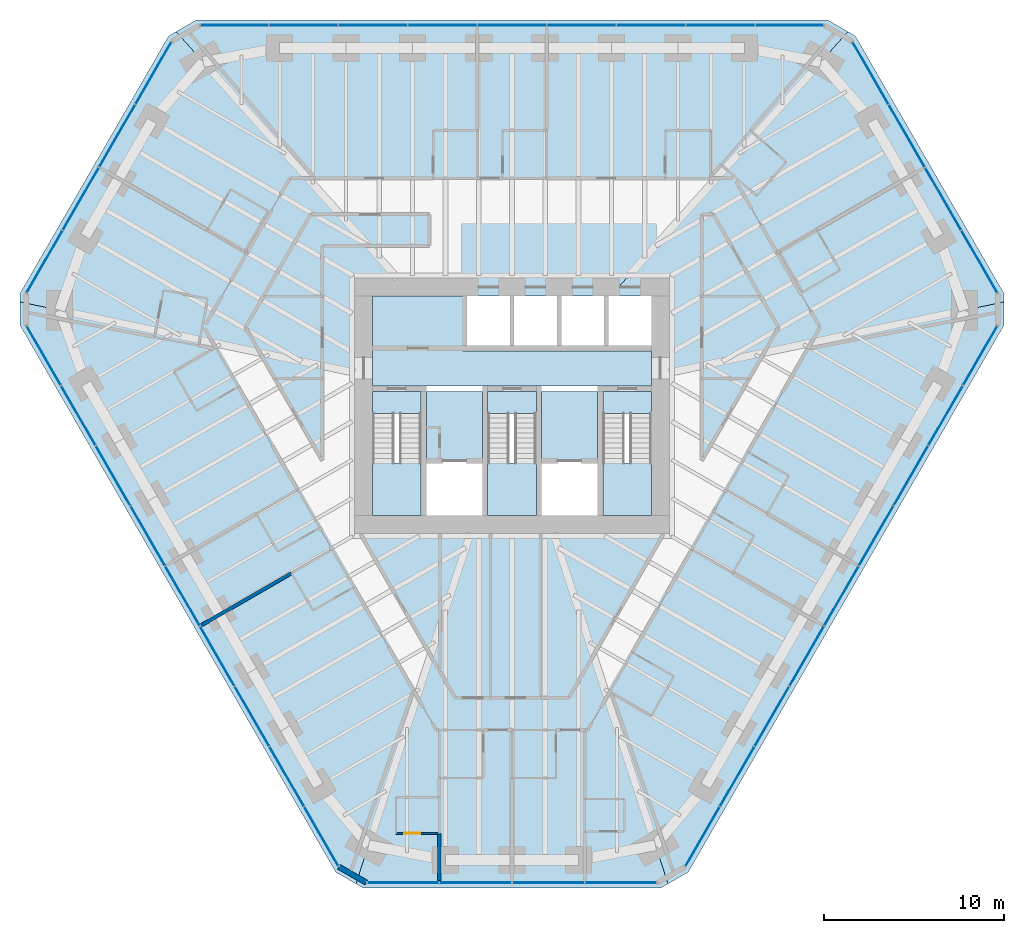
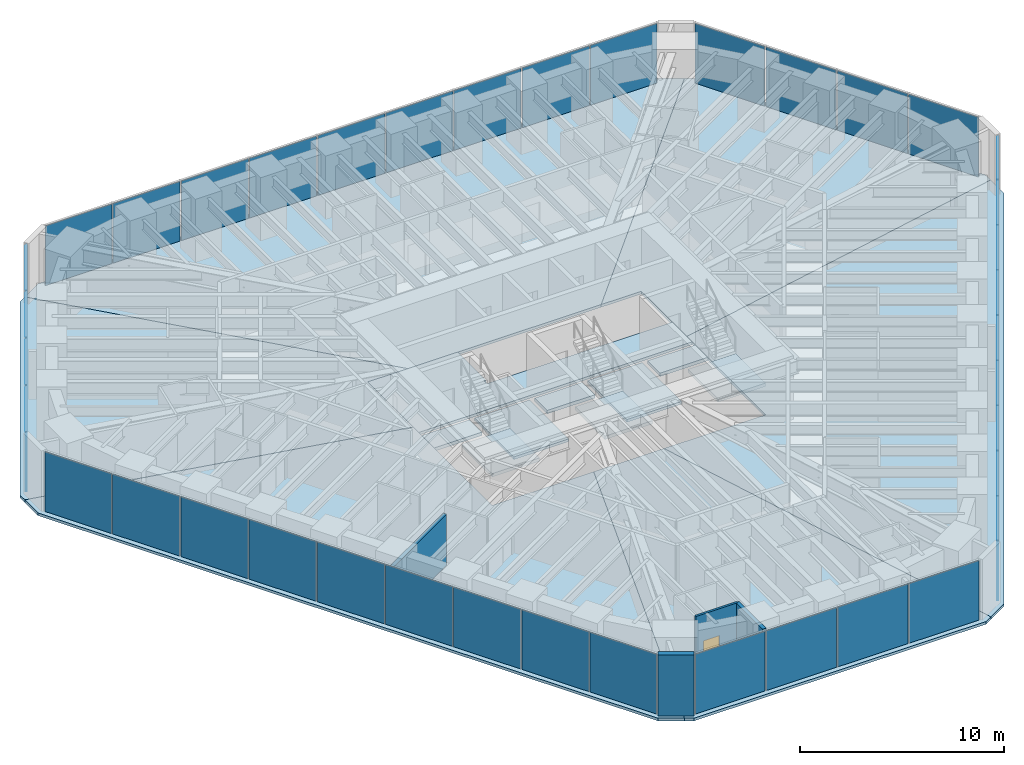
# One storey, part 10 of 16: 39 plates, 15 slabs, 4 walls, 1 door, 1 opening, 9 elements without a shape of their own.
"""IFC4 building model written with IfcOpenShell, lengths in metres."""

from ifc_helpers import new_model, si_unit, direction, frame, frame_2d, origin, origin_2d, place, context, subcontext, project, spatial, polyline, rectangle, outline, extrude, material, layer, layer_set, type_object, element, fill, aggregate, save


model = new_model("IFC4")

# Units and contexts
model_context = context("Model", 3, precision=1e-05, world=origin(), true_north=direction((0.0, 1.0)))
body_context = subcontext(model_context, "Body", "Model", "MODEL_VIEW")
ifc_project = project(units=[si_unit("LENGTHUNIT", "METRE"), si_unit("AREAUNIT", "SQUARE_METRE"), si_unit("VOLUMEUNIT", "CUBIC_METRE"), si_unit("PLANEANGLEUNIT", "RADIAN"), si_unit("MASSUNIT", "GRAM", prefix="KILO")], contexts=[model_context])

# Site, building, storey
site_placement = place(None, origin())
site = spatial("IfcSite", under=ifc_project, at=site_placement, CompositionType="ELEMENT")
building_placement = place(site_placement, origin())
building = spatial("IfcBuilding", under=site, at=building_placement, Name="Sandreach Pilgrim Tower", CompositionType="ELEMENT")
storey_placement = place(building_placement, frame((0.0, 0.0, 190.800048828125)))
storey = spatial("IfcBuildingStorey", under=building, at=storey_placement, Name="L47", CompositionType="ELEMENT", Elevation=190.800048828125)

# Curtain wall, plates
ifc_material_1 = material(Name="Aluminium framed curtain wall", Category="aluminium")
curtain_wall_type = type_object("IfcCurtainWallType", Name="Upper hotel tower curtain wall", PredefinedType="NOTDEFINED", material=ifc_material_1)
curtain_wall_1_placement = place(storey_placement, origin())
curtain_wall_1 = element("IfcCurtainWall", 1, at=curtain_wall_1_placement, inside=storey, type_object=curtain_wall_type, Name="CW-3 L47 N", PredefinedType="NOTDEFINED")
ifc_material_2 = material(Name="Insulating glass unit 12.76 laminated + 20 argon + 12.76 laminated", Category="glass")
ifc_layer_1 = layer(ifc_material_2, 0.0458984375)
ifc_layer_set_1 = layer_set([ifc_layer_1], Name="CW-3 panel")
plate_type = type_object("IfcPlateType", Name="CW-3 panel", PredefinedType="CURTAIN_PANEL", material=ifc_layer_set_1)
plate_1_placement = place(storey_placement, frame((-15.44140625, 21.16015625, 0.0), z_axis=(0.0, 0.0, 1.0), x_axis=(1.0, 0.0, 0.0)))
plate_1 = element("IfcPlate", 2, at=plate_1_placement, type_object=plate_type, Name="CW-3 panel 1", PredefinedType="CURTAIN_PANEL", context=body_context, shape_type="SweptSolid", body=[
    extrude(rectangle(XDim=3.766845703125, YDim=0.0458984375, at=origin_2d()), origin(), (0.0, 0.0, 1.0), 3.570068359375),
])
plate_2_placement = place(storey_placement, frame((-11.59326171875, 21.16015625, 0.0), z_axis=(0.0, 0.0, 1.0), x_axis=(1.0, 0.0, 0.0)))
plate_2 = element("IfcPlate", 3, at=plate_2_placement, type_object=plate_type, Name="CW-3 panel 2", PredefinedType="CURTAIN_PANEL", context=body_context, shape_type="SweptSolid", body=[
    extrude(rectangle(XDim=3.79931640625, YDim=0.0458984375, at=origin_2d()), origin(), (0.0, 0.0, 1.0), 3.570068359375),
])
plate_3_placement = place(storey_placement, frame((-7.728759765625, 21.16015625, 0.0), z_axis=(0.0, 0.0, 1.0), x_axis=(1.0, 0.0, 0.0)))
plate_3 = element("IfcPlate", 4, at=plate_3_placement, type_object=plate_type, Name="CW-3 panel 3", PredefinedType="CURTAIN_PANEL", context=body_context, shape_type="SweptSolid", body=[
    extrude(rectangle(XDim=3.79931640625, YDim=0.0458984375, at=origin_2d()), origin(), (0.0, 0.0, 1.0), 3.570068359375),
])
plate_4_placement = place(storey_placement, frame((-3.864501953125, 21.16015625, 0.0), z_axis=(0.0, 0.0, 1.0), x_axis=(1.0, 0.0, 0.0)))
plate_4 = element("IfcPlate", 5, at=plate_4_placement, type_object=plate_type, Name="CW-3 panel 4", PredefinedType="CURTAIN_PANEL", context=body_context, shape_type="SweptSolid", body=[
    extrude(rectangle(XDim=3.79931640625, YDim=0.0458984375, at=origin_2d()), origin(), (0.0, 0.0, 1.0), 3.570068359375),
])
plate_5_placement = place(storey_placement, frame((0.0, 21.16015625, 0.0), z_axis=(0.0, 0.0, 1.0), x_axis=(1.0, 0.0, 0.0)))
plate_5 = element("IfcPlate", 6, at=plate_5_placement, type_object=plate_type, Name="CW-3 panel 5", PredefinedType="CURTAIN_PANEL", context=body_context, shape_type="SweptSolid", body=[
    extrude(rectangle(XDim=3.79931640625, YDim=0.0458984375, at=origin_2d()), origin(), (0.0, 0.0, 1.0), 3.570068359375),
])
plate_6_placement = place(storey_placement, frame((3.864501953125, 21.16015625, 0.0), z_axis=(0.0, 0.0, 1.0), x_axis=(1.0, 0.0, 0.0)))
plate_6 = element("IfcPlate", 7, at=plate_6_placement, type_object=plate_type, Name="CW-3 panel 6", PredefinedType="CURTAIN_PANEL", context=body_context, shape_type="SweptSolid", body=[
    extrude(rectangle(XDim=3.79931640625, YDim=0.0458984375, at=origin_2d()), origin(), (0.0, 0.0, 1.0), 3.570068359375),
])
plate_7_placement = place(storey_placement, frame((7.728759765625, 21.16015625, 0.0), z_axis=(0.0, 0.0, 1.0), x_axis=(1.0, 0.0, 0.0)))
plate_7 = element("IfcPlate", 8, at=plate_7_placement, type_object=plate_type, Name="CW-3 panel 7", PredefinedType="CURTAIN_PANEL", context=body_context, shape_type="SweptSolid", body=[
    extrude(rectangle(XDim=3.79931640625, YDim=0.0458984375, at=origin_2d()), origin(), (0.0, 0.0, 1.0), 3.570068359375),
])
plate_8_placement = place(storey_placement, frame((11.59326171875, 21.16015625, 0.0), z_axis=(0.0, 0.0, 1.0), x_axis=(1.0, 0.0, 0.0)))
plate_8 = element("IfcPlate", 9, at=plate_8_placement, type_object=plate_type, Name="CW-3 panel 8", PredefinedType="CURTAIN_PANEL", context=body_context, shape_type="SweptSolid", body=[
    extrude(rectangle(XDim=3.79931640625, YDim=0.0458984375, at=origin_2d()), origin(), (0.0, 0.0, 1.0), 3.570068359375),
])
plate_9_placement = place(storey_placement, frame((15.44140625, 21.16015625, 0.0), z_axis=(0.0, 0.0, 1.0), x_axis=(1.0, 0.0, 0.0)))
plate_9 = element("IfcPlate", 10, at=plate_9_placement, type_object=plate_type, Name="CW-3 panel 9", PredefinedType="CURTAIN_PANEL", context=body_context, shape_type="SweptSolid", body=[
    extrude(rectangle(XDim=3.766845703125, YDim=0.0458984375, at=origin_2d()), origin(), (0.0, 0.0, 1.0), 3.570068359375),
])
aggregate(curtain_wall_1, [plate_1, plate_2, plate_3, plate_4, plate_5, plate_6, plate_7, plate_8, plate_9])

curtain_wall_2_placement = place(storey_placement, origin())
curtain_wall_2 = element("IfcCurtainWall", 11, at=curtain_wall_2_placement, inside=storey, type_object=curtain_wall_type, Name="CW-3 L47 NE", PredefinedType="NOTDEFINED")
plate_10_placement = place(storey_placement, frame((19.943115234375, 18.5078125, 0.0), z_axis=(0.0, 0.0, 1.0), x_axis=(0.5, -0.866025403784, 0.0)))
plate_10 = element("IfcPlate", 12, at=plate_10_placement, type_object=plate_type, Name="CW-3 panel 1", PredefinedType="CURTAIN_PANEL", context=body_context, shape_type="SweptSolid", body=[
    extrude(rectangle(XDim=3.951171875, YDim=0.0458984375, at=origin_2d()), origin(), (0.0, 0.0, 1.0), 3.570068359375),
])
plate_11_placement = place(storey_placement, frame((21.959228515625, 15.015625, 0.0), z_axis=(0.0, 0.0, 1.0), x_axis=(0.5, -0.866025403784, 0.0)))
plate_11 = element("IfcPlate", 13, at=plate_11_placement, type_object=plate_type, Name="CW-3 panel 2", PredefinedType="CURTAIN_PANEL", context=body_context, shape_type="SweptSolid", body=[
    extrude(rectangle(XDim=3.983642578125, YDim=0.0458984375, at=origin_2d()), origin(), (0.0, 0.0, 1.0), 3.570068359375),
])
plate_12_placement = place(storey_placement, frame((23.983642578125, 11.509521484375, 0.0), z_axis=(0.0, 0.0, 1.0), x_axis=(0.5, -0.866025403784, 0.0)))
plate_12 = element("IfcPlate", 14, at=plate_12_placement, type_object=plate_type, Name="CW-3 panel 3", PredefinedType="CURTAIN_PANEL", context=body_context, shape_type="SweptSolid", body=[
    extrude(rectangle(XDim=3.983642578125, YDim=0.0458984375, at=origin_2d()), origin(), (0.0, 0.0, 1.0), 3.570068359375),
])
plate_13_placement = place(storey_placement, frame((25.999755859375, 8.017333984375, 0.0), z_axis=(0.0, 0.0, 1.0), x_axis=(0.5, -0.866025403784, 0.0)))
plate_13 = element("IfcPlate", 15, at=plate_13_placement, type_object=plate_type, Name="CW-3 panel 4", PredefinedType="CURTAIN_PANEL", context=body_context, shape_type="SweptSolid", body=[
    extrude(rectangle(XDim=3.951171875, YDim=0.0458984375, at=origin_2d()), origin(), (0.0, 0.0, 1.0), 3.570068359375),
])
aggregate(curtain_wall_2, [plate_10, plate_11, plate_12, plate_13])

curtain_wall_3_placement = place(storey_placement, origin())
curtain_wall_3 = element("IfcCurtainWall", 16, at=curtain_wall_3_placement, inside=storey, type_object=curtain_wall_type, Name="CW-3 L47 SE", PredefinedType="NOTDEFINED")
plate_14_placement = place(storey_placement, frame((26.0458984375, 2.792724609375, 0.0), z_axis=(0.0, 0.0, 1.0), x_axis=(-0.5, -0.866025403784, 0.0)))
plate_14 = element("IfcPlate", 17, at=plate_14_placement, type_object=plate_type, Name="CW-3 panel 1", PredefinedType="CURTAIN_PANEL", context=body_context, shape_type="SweptSolid", body=[
    extrude(rectangle(XDim=3.766845703125, YDim=0.0458984375, at=origin_2d()), origin(), (0.0, 0.0, 1.0), 3.570068359375),
])
plate_15_placement = place(storey_placement, frame((24.121826171875, -0.5400390625, 0.0), z_axis=(0.0, 0.0, 1.0), x_axis=(-0.5, -0.866025403784, 0.0)))
plate_15 = element("IfcPlate", 18, at=plate_15_placement, type_object=plate_type, Name="CW-3 panel 2", PredefinedType="CURTAIN_PANEL", context=body_context, shape_type="SweptSolid", body=[
    extrude(rectangle(XDim=3.79931640625, YDim=0.0458984375, at=origin_2d()), origin(), (0.0, 0.0, 1.0), 3.570068359375),
])
plate_16_placement = place(storey_placement, frame((22.189697265625, -3.88671875, 0.0), z_axis=(0.0, 0.0, 1.0), x_axis=(-0.5, -0.866025403784, 0.0)))
plate_16 = element("IfcPlate", 19, at=plate_16_placement, type_object=plate_type, Name="CW-3 panel 3", PredefinedType="CURTAIN_PANEL", context=body_context, shape_type="SweptSolid", body=[
    extrude(rectangle(XDim=3.79931640625, YDim=0.0458984375, at=origin_2d()), origin(), (0.0, 0.0, 1.0), 3.570068359375),
])
plate_17_placement = place(storey_placement, frame((20.25732421875, -7.2333984375, 0.0), z_axis=(0.0, 0.0, 1.0), x_axis=(-0.5, -0.866025403784, 0.0)))
plate_17 = element("IfcPlate", 20, at=plate_17_placement, type_object=plate_type, Name="CW-3 panel 4", PredefinedType="CURTAIN_PANEL", context=body_context, shape_type="SweptSolid", body=[
    extrude(rectangle(XDim=3.79931640625, YDim=0.0458984375, at=origin_2d()), origin(), (0.0, 0.0, 1.0), 3.570068359375),
])
plate_18_placement = place(storey_placement, frame((18.3251953125, -10.580078125, 0.0), z_axis=(0.0, 0.0, 1.0), x_axis=(-0.5, -0.866025403784, 0.0)))
plate_18 = element("IfcPlate", 21, at=plate_18_placement, type_object=plate_type, Name="CW-3 panel 5", PredefinedType="CURTAIN_PANEL", context=body_context, shape_type="SweptSolid", body=[
    extrude(rectangle(XDim=3.79931640625, YDim=0.0458984375, at=origin_2d()), origin(), (0.0, 0.0, 1.0), 3.570068359375),
])
plate_19_placement = place(storey_placement, frame((16.39306640625, -13.9267578125, 0.0), z_axis=(0.0, 0.0, 1.0), x_axis=(-0.5, -0.866025403784, 0.0)))
plate_19 = element("IfcPlate", 22, at=plate_19_placement, type_object=plate_type, Name="CW-3 panel 6", PredefinedType="CURTAIN_PANEL", context=body_context, shape_type="SweptSolid", body=[
    extrude(rectangle(XDim=3.79931640625, YDim=0.0458984375, at=origin_2d()), origin(), (0.0, 0.0, 1.0), 3.570068359375),
])
plate_20_placement = place(storey_placement, frame((14.460693359375, -17.2734375, 0.0), z_axis=(0.0, 0.0, 1.0), x_axis=(-0.5, -0.866025403784, 0.0)))
plate_20 = element("IfcPlate", 23, at=plate_20_placement, type_object=plate_type, Name="CW-3 panel 7", PredefinedType="CURTAIN_PANEL", context=body_context, shape_type="SweptSolid", body=[
    extrude(rectangle(XDim=3.79931640625, YDim=0.0458984375, at=origin_2d()), origin(), (0.0, 0.0, 1.0), 3.570068359375),
])
plate_21_placement = place(storey_placement, frame((12.528564453125, -20.6201171875, 0.0), z_axis=(0.0, 0.0, 1.0), x_axis=(-0.5, -0.866025403784, 0.0)))
plate_21 = element("IfcPlate", 24, at=plate_21_placement, type_object=plate_type, Name="CW-3 panel 8", PredefinedType="CURTAIN_PANEL", context=body_context, shape_type="SweptSolid", body=[
    extrude(rectangle(XDim=3.79931640625, YDim=0.0458984375, at=origin_2d()), origin(), (0.0, 0.0, 1.0), 3.570068359375),
])
plate_22_placement = place(storey_placement, frame((10.6044921875, -23.95263671875, 0.0), z_axis=(0.0, 0.0, 1.0), x_axis=(-0.5, -0.866025403784, 0.0)))
plate_22 = element("IfcPlate", 25, at=plate_22_placement, type_object=plate_type, Name="CW-3 panel 9", PredefinedType="CURTAIN_PANEL", context=body_context, shape_type="SweptSolid", body=[
    extrude(rectangle(XDim=3.766845703125, YDim=0.0458984375, at=origin_2d()), origin(), (0.0, 0.0, 1.0), 3.570068359375),
])
aggregate(curtain_wall_3, [plate_14, plate_15, plate_16, plate_17, plate_18, plate_19, plate_20, plate_21, plate_22])

curtain_wall_4_placement = place(storey_placement, origin())
curtain_wall_4 = element("IfcCurtainWall", 26, at=curtain_wall_4_placement, inside=storey, type_object=curtain_wall_type, Name="CW-3 L47 S", PredefinedType="NOTDEFINED")
plate_23_placement = place(storey_placement, frame((6.056884765625, -26.525146484375, 0.0), z_axis=(0.0, 0.0, 1.0), x_axis=(-1.0, 0.0, 0.0)))
plate_23 = element("IfcPlate", 27, at=plate_23_placement, type_object=plate_type, Name="CW-3 panel 1", PredefinedType="CURTAIN_PANEL", context=body_context, shape_type="SweptSolid", body=[
    extrude(rectangle(XDim=3.951171875, YDim=0.0458984375, at=origin_2d()), origin(), (0.0, 0.0, 1.0), 3.570068359375),
])
plate_24_placement = place(storey_placement, frame((2.0244140625, -26.525146484375, 0.0), z_axis=(0.0, 0.0, 1.0), x_axis=(-1.0, 0.0, 0.0)))
plate_24 = element("IfcPlate", 28, at=plate_24_placement, type_object=plate_type, Name="CW-3 panel 2", PredefinedType="CURTAIN_PANEL", context=body_context, shape_type="SweptSolid", body=[
    extrude(rectangle(XDim=3.983642578125, YDim=0.0458984375, at=origin_2d()), origin(), (0.0, 0.0, 1.0), 3.570068359375),
])
plate_25_placement = place(storey_placement, frame((-2.0244140625, -26.525146484375, 0.0), z_axis=(0.0, 0.0, 1.0), x_axis=(-1.0, 0.0, 0.0)))
plate_25 = element("IfcPlate", 29, at=plate_25_placement, type_object=plate_type, Name="CW-3 panel 3", PredefinedType="CURTAIN_PANEL", context=body_context, shape_type="SweptSolid", body=[
    extrude(rectangle(XDim=3.983642578125, YDim=0.0458984375, at=origin_2d()), origin(), (0.0, 0.0, 1.0), 3.570068359375),
])
plate_26_placement = place(storey_placement, frame((-6.056884765625, -26.525146484375, 0.0), z_axis=(0.0, 0.0, 1.0), x_axis=(-1.0, 0.0, 0.0)))
plate_26 = element("IfcPlate", 30, at=plate_26_placement, type_object=plate_type, Name="CW-3 panel 4", PredefinedType="CURTAIN_PANEL", context=body_context, shape_type="SweptSolid", body=[
    extrude(rectangle(XDim=3.951171875, YDim=0.0458984375, at=origin_2d()), origin(), (0.0, 0.0, 1.0), 3.570068359375),
])
aggregate(curtain_wall_4, [plate_23, plate_24, plate_25, plate_26])

curtain_wall_5_placement = place(storey_placement, origin())
curtain_wall_5 = element("IfcCurtainWall", 31, at=curtain_wall_5_placement, inside=storey, type_object=curtain_wall_type, Name="CW-3 L47 SW", PredefinedType="NOTDEFINED")
plate_27_placement = place(storey_placement, frame((-10.6044921875, -23.95263671875, 0.0), z_axis=(0.0, 0.0, 1.0), x_axis=(-0.5, 0.866025403784, 0.0)))
plate_27 = element("IfcPlate", 32, at=plate_27_placement, type_object=plate_type, Name="CW-3 panel 1", PredefinedType="CURTAIN_PANEL", context=body_context, shape_type="SweptSolid", body=[
    extrude(rectangle(XDim=3.766845703125, YDim=0.0458984375, at=origin_2d()), origin(), (0.0, 0.0, 1.0), 3.570068359375),
])
plate_28_placement = place(storey_placement, frame((-12.528564453125, -20.6201171875, 0.0), z_axis=(0.0, 0.0, 1.0), x_axis=(-0.5, 0.866025403784, 0.0)))
plate_28 = element("IfcPlate", 33, at=plate_28_placement, type_object=plate_type, Name="CW-3 panel 2", PredefinedType="CURTAIN_PANEL", context=body_context, shape_type="SweptSolid", body=[
    extrude(rectangle(XDim=3.79931640625, YDim=0.0458984375, at=origin_2d()), origin(), (0.0, 0.0, 1.0), 3.570068359375),
])
plate_29_placement = place(storey_placement, frame((-14.460693359375, -17.2734375, 0.0), z_axis=(0.0, 0.0, 1.0), x_axis=(-0.5, 0.866025403784, 0.0)))
plate_29 = element("IfcPlate", 34, at=plate_29_placement, type_object=plate_type, Name="CW-3 panel 3", PredefinedType="CURTAIN_PANEL", context=body_context, shape_type="SweptSolid", body=[
    extrude(rectangle(XDim=3.79931640625, YDim=0.0458984375, at=origin_2d()), origin(), (0.0, 0.0, 1.0), 3.570068359375),
])
plate_30_placement = place(storey_placement, frame((-16.39306640625, -13.9267578125, 0.0), z_axis=(0.0, 0.0, 1.0), x_axis=(-0.5, 0.866025403784, 0.0)))
plate_30 = element("IfcPlate", 35, at=plate_30_placement, type_object=plate_type, Name="CW-3 panel 4", PredefinedType="CURTAIN_PANEL", context=body_context, shape_type="SweptSolid", body=[
    extrude(rectangle(XDim=3.79931640625, YDim=0.0458984375, at=origin_2d()), origin(), (0.0, 0.0, 1.0), 3.570068359375),
])
plate_31_placement = place(storey_placement, frame((-18.3251953125, -10.580078125, 0.0), z_axis=(0.0, 0.0, 1.0), x_axis=(-0.5, 0.866025403784, 0.0)))
plate_31 = element("IfcPlate", 36, at=plate_31_placement, type_object=plate_type, Name="CW-3 panel 5", PredefinedType="CURTAIN_PANEL", context=body_context, shape_type="SweptSolid", body=[
    extrude(rectangle(XDim=3.79931640625, YDim=0.0458984375, at=origin_2d()), origin(), (0.0, 0.0, 1.0), 3.570068359375),
])
plate_32_placement = place(storey_placement, frame((-20.25732421875, -7.2333984375, 0.0), z_axis=(0.0, 0.0, 1.0), x_axis=(-0.5, 0.866025403784, 0.0)))
plate_32 = element("IfcPlate", 37, at=plate_32_placement, type_object=plate_type, Name="CW-3 panel 6", PredefinedType="CURTAIN_PANEL", context=body_context, shape_type="SweptSolid", body=[
    extrude(rectangle(XDim=3.79931640625, YDim=0.0458984375, at=origin_2d()), origin(), (0.0, 0.0, 1.0), 3.570068359375),
])
plate_33_placement = place(storey_placement, frame((-22.189697265625, -3.88671875, 0.0), z_axis=(0.0, 0.0, 1.0), x_axis=(-0.5, 0.866025403784, 0.0)))
plate_33 = element("IfcPlate", 38, at=plate_33_placement, type_object=plate_type, Name="CW-3 panel 7", PredefinedType="CURTAIN_PANEL", context=body_context, shape_type="SweptSolid", body=[
    extrude(rectangle(XDim=3.79931640625, YDim=0.0458984375, at=origin_2d()), origin(), (0.0, 0.0, 1.0), 3.570068359375),
])
plate_34_placement = place(storey_placement, frame((-24.121826171875, -0.5400390625, 0.0), z_axis=(0.0, 0.0, 1.0), x_axis=(-0.5, 0.866025403784, 0.0)))
plate_34 = element("IfcPlate", 39, at=plate_34_placement, type_object=plate_type, Name="CW-3 panel 8", PredefinedType="CURTAIN_PANEL", context=body_context, shape_type="SweptSolid", body=[
    extrude(rectangle(XDim=3.79931640625, YDim=0.0458984375, at=origin_2d()), origin(), (0.0, 0.0, 1.0), 3.570068359375),
])
plate_35_placement = place(storey_placement, frame((-26.0458984375, 2.792724609375, 0.0), z_axis=(0.0, 0.0, 1.0), x_axis=(-0.5, 0.866025403784, 0.0)))
plate_35 = element("IfcPlate", 40, at=plate_35_placement, type_object=plate_type, Name="CW-3 panel 9", PredefinedType="CURTAIN_PANEL", context=body_context, shape_type="SweptSolid", body=[
    extrude(rectangle(XDim=3.766845703125, YDim=0.0458984375, at=origin_2d()), origin(), (0.0, 0.0, 1.0), 3.570068359375),
])
aggregate(curtain_wall_5, [plate_27, plate_28, plate_29, plate_30, plate_31, plate_32, plate_33, plate_34, plate_35])

curtain_wall_6_placement = place(storey_placement, origin())
curtain_wall_6 = element("IfcCurtainWall", 41, at=curtain_wall_6_placement, inside=storey, type_object=curtain_wall_type, Name="CW-3 L47 NW", PredefinedType="NOTDEFINED")
plate_36_placement = place(storey_placement, frame((-25.999755859375, 8.017333984375, 0.0), z_axis=(0.0, 0.0, 1.0), x_axis=(0.5, 0.866025403784, 0.0)))
plate_36 = element("IfcPlate", 42, at=plate_36_placement, type_object=plate_type, Name="CW-3 panel 1", PredefinedType="CURTAIN_PANEL", context=body_context, shape_type="SweptSolid", body=[
    extrude(rectangle(XDim=3.951171875, YDim=0.0458984375, at=origin_2d()), origin(), (0.0, 0.0, 1.0), 3.570068359375),
])
plate_37_placement = place(storey_placement, frame((-23.983642578125, 11.509521484375, 0.0), z_axis=(0.0, 0.0, 1.0), x_axis=(0.5, 0.866025403784, 0.0)))
plate_37 = element("IfcPlate", 43, at=plate_37_placement, type_object=plate_type, Name="CW-3 panel 2", PredefinedType="CURTAIN_PANEL", context=body_context, shape_type="SweptSolid", body=[
    extrude(rectangle(XDim=3.983642578125, YDim=0.0458984375, at=origin_2d()), origin(), (0.0, 0.0, 1.0), 3.570068359375),
])
plate_38_placement = place(storey_placement, frame((-21.959228515625, 15.015625, 0.0), z_axis=(0.0, 0.0, 1.0), x_axis=(0.5, 0.866025403784, 0.0)))
plate_38 = element("IfcPlate", 44, at=plate_38_placement, type_object=plate_type, Name="CW-3 panel 3", PredefinedType="CURTAIN_PANEL", context=body_context, shape_type="SweptSolid", body=[
    extrude(rectangle(XDim=3.983642578125, YDim=0.0458984375, at=origin_2d()), origin(), (0.0, 0.0, 1.0), 3.570068359375),
])
plate_39_placement = place(storey_placement, frame((-19.943115234375, 18.5078125, 0.0), z_axis=(0.0, 0.0, 1.0), x_axis=(0.5, 0.866025403784, 0.0)))
plate_39 = element("IfcPlate", 45, at=plate_39_placement, type_object=plate_type, Name="CW-3 panel 4", PredefinedType="CURTAIN_PANEL", context=body_context, shape_type="SweptSolid", body=[
    extrude(rectangle(XDim=3.951171875, YDim=0.0458984375, at=origin_2d()), origin(), (0.0, 0.0, 1.0), 3.570068359375),
])
aggregate(curtain_wall_6, [plate_36, plate_37, plate_38, plate_39])

# Slabs
ifc_material_3 = material(Name="Concrete 8000 psi", Category="concrete")
ifc_layer_2 = layer(ifc_material_3, 0.159912109375)
ifc_layer_set_2 = layer_set([ifc_layer_2], Name="Composite floor slab 160")
slab_type_1 = type_object("IfcSlabType", Name="Composite floor slab 160", PredefinedType="FLOOR", material=ifc_layer_set_2)
slab_1_placement = place(storey_placement, frame((0.0, 0.0, -0.16015625)))
element("IfcSlab", 46, at=slab_1_placement, inside=storey, type_object=slab_type_1, Name="Floor slab L47 N sector", PredefinedType="FLOOR", context=body_context, shape_type="SweptSolid", body=[
    extrude(outline(polyline([(-17.56298828125, 21.460205078125), (17.56298828125, 21.460205078125), (18.68701171875, 20.81103515625), (5.477294921875, 6.10009765625), (-5.477294921875, 6.10009765625), (-18.68701171875, 20.81103515625), (-17.56298828125, 21.460205078125)])), origin(), (0.0, 0.0, 1.0), 0.16015625),
])
slab_2_placement = place(storey_placement, frame((0.0, 0.0, -0.16015625)))
element("IfcSlab", 47, at=slab_2_placement, inside=storey, type_object=slab_type_1, Name="Floor slab L47 NE sector", PredefinedType="FLOOR", context=body_context, shape_type="SweptSolid", body=[
    extrude(outline(polyline([(19.095947265625, 20.5751953125), (27.366455078125, 6.25), (27.366455078125, 5.778076171875), (7.75, 1.63623046875), (7.75, 6.10009765625), (5.477294921875, 6.10009765625), (18.68701171875, 20.81103515625), (19.095947265625, 20.5751953125)])), origin(), (0.0, 0.0, 1.0), 0.16015625),
])
slab_3_placement = place(storey_placement, frame((0.0, 0.0, -0.16015625)))
element("IfcSlab", 48, at=slab_3_placement, inside=storey, type_object=slab_type_1, Name="Floor slab L47 SE sector", PredefinedType="FLOOR", context=body_context, shape_type="SweptSolid", body=[
    extrude(outline(polyline([(27.366455078125, 4.47998046875), (9.803466796875, -25.940185546875), (8.679443359375, -26.589111328125), (1.9912109375, -6.10009765625), (7.75, -6.10009765625), (7.75, 1.63623046875), (27.366455078125, 5.778076171875), (27.366455078125, 4.47998046875)])), origin(), (0.0, 0.0, 1.0), 0.16015625),
])
slab_4_placement = place(storey_placement, frame((0.0, 0.0, -0.16015625)))
element("IfcSlab", 49, at=slab_4_placement, inside=storey, type_object=slab_type_1, Name="Floor slab L47 S sector", PredefinedType="FLOOR", context=body_context, shape_type="SweptSolid", body=[
    extrude(outline(polyline([(8.2705078125, -26.8251953125), (-8.2705078125, -26.8251953125), (-8.679443359375, -26.589111328125), (-1.9912109375, -6.10009765625), (1.9912109375, -6.10009765625), (8.679443359375, -26.589111328125), (8.2705078125, -26.8251953125)])), origin(), (0.0, 0.0, 1.0), 0.16015625),
])
slab_5_placement = place(storey_placement, frame((0.0, 0.0, -0.16015625)))
element("IfcSlab", 50, at=slab_5_placement, inside=storey, type_object=slab_type_1, Name="Floor slab L47 SW sector", PredefinedType="FLOOR", context=body_context, shape_type="SweptSolid", body=[
    extrude(outline(polyline([(-9.803466796875, -25.940185546875), (-27.366455078125, 4.47998046875), (-27.366455078125, 5.778076171875), (-7.75, 1.63623046875), (-7.75, -6.10009765625), (-1.9912109375, -6.10009765625), (-8.679443359375, -26.589111328125), (-9.803466796875, -25.940185546875)])), origin(), (0.0, 0.0, 1.0), 0.16015625),
])
slab_6_placement = place(storey_placement, frame((0.0, 0.0, -0.16015625)))
element("IfcSlab", 51, at=slab_6_placement, inside=storey, type_object=slab_type_1, Name="Floor slab L47 NW sector", PredefinedType="FLOOR", context=body_context, shape_type="SweptSolid", body=[
    extrude(outline(polyline([(-27.366455078125, 6.25), (-19.095947265625, 20.5751953125), (-18.68701171875, 20.81103515625), (-5.477294921875, 6.10009765625), (-7.75, 6.10009765625), (-7.75, 1.63623046875), (-27.366455078125, 5.778076171875), (-27.366455078125, 6.25)])), origin(), (0.0, 0.0, 1.0), 0.16015625),
])
slab_7_placement = place(storey_placement, frame((0.0, 0.0, -0.16015625)))
element("IfcSlab", 52, at=slab_7_placement, inside=storey, type_object=slab_type_1, Name="Core floor slab and stores L47", PredefinedType="FLOOR", context=body_context, shape_type="SweptSolid", body=[
    extrude(outline(polyline([(-2.75, 3.35009765625), (-2.75, 3.050048828125), (-0.125, 3.050048828125), (0.125, 3.050048828125), (2.5, 3.050048828125), (2.75, 3.050048828125), (5.125, 3.050048828125), (5.375, 3.050048828125), (7.75, 3.050048828125), (7.75, 1.10009765625), (5.050048828125, 1.10009765625), (4.75, 1.10009765625), (1.64990234375, 1.10009765625), (1.35009765625, 1.10009765625), (-1.35009765625, 1.10009765625), (-1.64990234375, 1.10009765625), (-4.75, 1.10009765625), (-5.050048828125, 1.10009765625), (-7.75, 1.10009765625), (-7.75, 6.10009765625), (-2.64990234375, 6.10009765625), (-2.64990234375, 3.35009765625), (-2.75, 3.35009765625)])), origin(), (0.0, 0.0, 1.0), 0.16015625),
])
slab_8_placement = place(storey_placement, frame((0.0, 0.0, -0.16015625)))
element("IfcSlab", 53, at=slab_8_placement, inside=storey, type_object=slab_type_1, Name="Core floor slab and stores L47 2", PredefinedType="FLOOR", context=body_context, shape_type="SweptSolid", body=[
    extrude(outline(polyline([(-1.64990234375, -3.050048828125), (-4.75, -3.050048828125), (-4.75, 0.800048828125), (-1.64990234375, 0.800048828125), (-1.64990234375, -3.050048828125)])), origin(), (0.0, 0.0, 1.0), 0.16015625),
])
slab_9_placement = place(storey_placement, frame((0.0, 0.0, -0.16015625)))
element("IfcSlab", 54, at=slab_9_placement, inside=storey, type_object=slab_type_1, Name="Core floor slab and stores L47 3", PredefinedType="FLOOR", context=body_context, shape_type="SweptSolid", body=[
    extrude(outline(polyline([(4.75, -3.050048828125), (1.64990234375, -3.050048828125), (1.64990234375, 0.800048828125), (4.75, 0.800048828125), (4.75, -3.050048828125)])), origin(), (0.0, 0.0, 1.0), 0.16015625),
])

# Stair, slabs
ifc_material_4 = material(Name="Concrete 8000 psi", Category="concrete")
stair_type = type_object("IfcStairType", Name="Core exit stair", PredefinedType="HALF_TURN_STAIR", material=ifc_material_4)
stair_1_placement = place(storey_placement, origin())
stair_1 = element("IfcStair", 55, at=stair_1_placement, inside=storey, type_object=stair_type, Name="Exit stair ST1 L47", PredefinedType="HALF_TURN_STAIR")
ifc_material_5 = material(Name="Concrete 8000 psi", Category="concrete")
ifc_layer_3 = layer(ifc_material_5, 0.199951171875)
ifc_layer_set_3 = layer_set([ifc_layer_3], Name="Core stair landing 200")
slab_type_2 = type_object("IfcSlabType", Name="Core stair landing 200", PredefinedType="LANDING", material=ifc_layer_set_3)
slab_10_placement = place(storey_placement, frame((0.0, 0.0, -0.199951171875)))
slab_10 = element("IfcSlab", 56, at=slab_10_placement, type_object=slab_type_2, Name="ST1 landing 1", PredefinedType="LANDING", context=body_context, shape_type="SweptSolid", body=[
    extrude(outline(polyline([(-7.75, -0.425048828125), (-5.050048828125, -0.425048828125), (-5.050048828125, 0.800048828125), (-7.75, 0.800048828125), (-7.75, -0.425048828125)])), origin(), (0.0, 0.0, 1.0), 0.199951171875),
])
slab_11_placement = place(storey_placement, frame((0.0, 0.0, 1.699951171875)))
slab_11 = element("IfcSlab", 57, at=slab_11_placement, type_object=slab_type_2, Name="ST1 landing 2", PredefinedType="LANDING", context=body_context, shape_type="SweptSolid", body=[
    extrude(outline(polyline([(-7.75, -6.10009765625), (-5.050048828125, -6.10009765625), (-5.050048828125, -3.175048828125), (-7.75, -3.175048828125), (-7.75, -6.10009765625)])), origin(), (0.0, 0.0, 1.0), 0.199951171875),
])
aggregate(stair_1, [slab_10, slab_11])

stair_2_placement = place(storey_placement, origin())
stair_2 = element("IfcStair", 58, at=stair_2_placement, inside=storey, type_object=stair_type, Name="Exit stair ST3 L47", PredefinedType="HALF_TURN_STAIR")
slab_12_placement = place(storey_placement, frame((0.0, 0.0, -0.199951171875)))
slab_12 = element("IfcSlab", 59, at=slab_12_placement, type_object=slab_type_2, Name="ST3 landing 1", PredefinedType="LANDING", context=body_context, shape_type="SweptSolid", body=[
    extrude(outline(polyline([(-1.35009765625, -0.425048828125), (1.35009765625, -0.425048828125), (1.35009765625, 0.800048828125), (-1.35009765625, 0.800048828125), (-1.35009765625, -0.425048828125)])), origin(), (0.0, 0.0, 1.0), 0.199951171875),
])
slab_13_placement = place(storey_placement, frame((0.0, 0.0, 1.699951171875)))
slab_13 = element("IfcSlab", 60, at=slab_13_placement, type_object=slab_type_2, Name="ST3 landing 2", PredefinedType="LANDING", context=body_context, shape_type="SweptSolid", body=[
    extrude(outline(polyline([(-1.35009765625, -6.10009765625), (1.35009765625, -6.10009765625), (1.35009765625, -3.175048828125), (-1.35009765625, -3.175048828125), (-1.35009765625, -6.10009765625)])), origin(), (0.0, 0.0, 1.0), 0.199951171875),
])
aggregate(stair_2, [slab_12, slab_13])

stair_3_placement = place(storey_placement, origin())
stair_3 = element("IfcStair", 61, at=stair_3_placement, inside=storey, type_object=stair_type, Name="Exit stair ST2 L47", PredefinedType="HALF_TURN_STAIR")
slab_14_placement = place(storey_placement, frame((0.0, 0.0, -0.199951171875)))
slab_14 = element("IfcSlab", 62, at=slab_14_placement, type_object=slab_type_2, Name="ST2 landing 1", PredefinedType="LANDING", context=body_context, shape_type="SweptSolid", body=[
    extrude(outline(polyline([(5.050048828125, -0.425048828125), (7.75, -0.425048828125), (7.75, 0.800048828125), (5.050048828125, 0.800048828125), (5.050048828125, -0.425048828125)])), origin(), (0.0, 0.0, 1.0), 0.199951171875),
])
slab_15_placement = place(storey_placement, frame((0.0, 0.0, 1.699951171875)))
slab_15 = element("IfcSlab", 63, at=slab_15_placement, type_object=slab_type_2, Name="ST2 landing 2", PredefinedType="LANDING", context=body_context, shape_type="SweptSolid", body=[
    extrude(outline(polyline([(5.050048828125, -6.10009765625), (7.75, -6.10009765625), (7.75, -3.175048828125), (5.050048828125, -3.175048828125), (5.050048828125, -6.10009765625)])), origin(), (0.0, 0.0, 1.0), 0.199951171875),
])
aggregate(stair_3, [slab_14, slab_15])

# Wall, opening, door
ifc_material_6 = material(Name="Moisture-resistant gypsum board on steel studs", Category="steel")
ifc_layer_4 = layer(ifc_material_6, 0.1201171875)
ifc_layer_set_4 = layer_set([ifc_layer_4], Name="Bathroom partition 120")
wall_type_1 = type_object("IfcWallType", Name="Bathroom partition 120", PredefinedType="PARTITIONING", material=ifc_layer_set_4)
wall_1_placement = place(storey_placement, frame((-6.449951171875, -23.780029296875, 0.0), z_axis=(0.0, 0.0, 1.0), x_axis=(1.0, 0.0, 0.0)))
wall_1 = element("IfcWall", 64, at=wall_1_placement, inside=storey, type_object=wall_type_1, Name="Bathroom partition L47-046", PredefinedType="PARTITIONING", context=body_context, shape_type="SweptSolid", body=[
    extrude(rectangle(XDim=2.39990234375, YDim=0.1201171875, at=frame_2d((1.199951171875, 0.0))), origin(), (0.0, 0.0, 1.0), 3.639892578125),
])
opening_placement = place(wall_1_placement, frame((0.449951171875, 0.0, 0.0)))
opening = element("IfcOpeningElement", 65, at=opening_placement, cuts=wall_1, Name="Opening D09-12B", PredefinedType="OPENING", context=body_context, shape_type="SweptSolid", body=[
    extrude(rectangle(XDim=0.89990234375, YDim=2.030029296875, at=frame_2d((0.449951171875, 1.01513671875))), frame((0.0, 0.06005859375, 0.0), z_axis=(0.0, -1.0, 0.0), x_axis=(1.0, 0.0, 0.0)), (0.0, 0.0, 1.0), 0.1201171875),
])
ifc_material_7 = material(Name="Timber door, steel frame", Category="steel")
door_type = type_object("IfcDoorType", Name="Bathroom door", OperationType="SINGLE_SWING_LEFT", PredefinedType="DOOR", material=ifc_material_7)
door_placement = place(opening_placement, origin())
door = element("IfcDoor", 66, at=door_placement, inside=storey, type_object=door_type, Name="Door 4712B", OperationType="SINGLE_SWING_LEFT", OverallHeight=2.030029296875, OverallWidth=0.89990234375, PredefinedType="DOOR", context=body_context, shape_type="SweptSolid", body=[
    extrude(rectangle(XDim=0.89990234375, YDim=2.030029296875, at=frame_2d((0.449951171875, 1.01513671875))), frame((0.0, 0.02490234375, 0.0), z_axis=(0.0, -1.0, 0.0), x_axis=(1.0, 0.0, 0.0)), (0.0, 0.0, 1.0), 0.050048828125),
])
fill(opening, door)

# Walls
ifc_material_8 = material(Name="Double steel stud acoustic wall, gypsum board", Category="steel")
ifc_layer_5 = layer(ifc_material_8, 0.199951171875)
ifc_layer_set_5 = layer_set([ifc_layer_5], Name="Party wall 200")
wall_type_2 = type_object("IfcWallType", Name="Party wall 200", PredefinedType="PARTITIONING", material=ifc_layer_set_5)
wall_2_placement = place(storey_placement, frame((-17.256103515625, -12.18994140625, 0.0), z_axis=(0.0, 0.0, 1.0), x_axis=(0.865937714159, 0.500151852138, 0.0)))
element("IfcWall", 67, at=wall_2_placement, inside=storey, type_object=wall_type_2, Name="Party wall L47-009", PredefinedType="PARTITIONING", context=body_context, shape_type="SweptSolid", body=[
    extrude(rectangle(XDim=5.758056640625, YDim=0.199951171875, at=frame_2d((2.87890625, 0.0))), origin(), (0.0, 0.0, 1.0), 3.0380859375),
])
wall_3_placement = place(storey_placement, frame((-4.050048828125, -26.409912109375, 0.0), z_axis=(0.0, 0.0, 1.0), x_axis=(0.0, 1.0, 0.0)))
element("IfcWall", 68, at=wall_3_placement, inside=storey, type_object=wall_type_2, Name="Party wall L47-054", PredefinedType="PARTITIONING", context=body_context, shape_type="SweptSolid", body=[
    extrude(rectangle(XDim=2.6298828125, YDim=0.199951171875, at=frame_2d((1.31494140625, 0.0))), origin(), (0.0, 0.0, 1.0), 3.639892578125),
])
ifc_material_9 = material(Name="Terracotta rainscreen on concrete", Category="masonry")
ifc_layer_6 = layer(ifc_material_9, 0.300048828125)
ifc_layer_set_6 = layer_set([ifc_layer_6], Name="Terracotta chamfer pier")
wall_type_3 = type_object("IfcWallType", Name="Terracotta chamfer pier", PredefinedType="SOLIDWALL", material=ifc_layer_set_6)
wall_4_placement = place(storey_placement, frame((-8.097412109375, -26.525146484375, 0.0), z_axis=(0.0, 0.0, 1.0), x_axis=(-0.866036293601, 0.499981137809, 0.0)))
element("IfcWall", 69, at=wall_4_placement, inside=storey, type_object=wall_type_3, Name="Chamfer pier L47 S", PredefinedType="SOLIDWALL", context=body_context, shape_type="SweptSolid", body=[
    extrude(rectangle(XDim=1.77001953125, YDim=0.300048828125, at=frame_2d((0.885009765625, 0.0))), origin(), (0.0, 0.0, 1.0), 3.639892578125),
])

save(model, "model.ifc")
